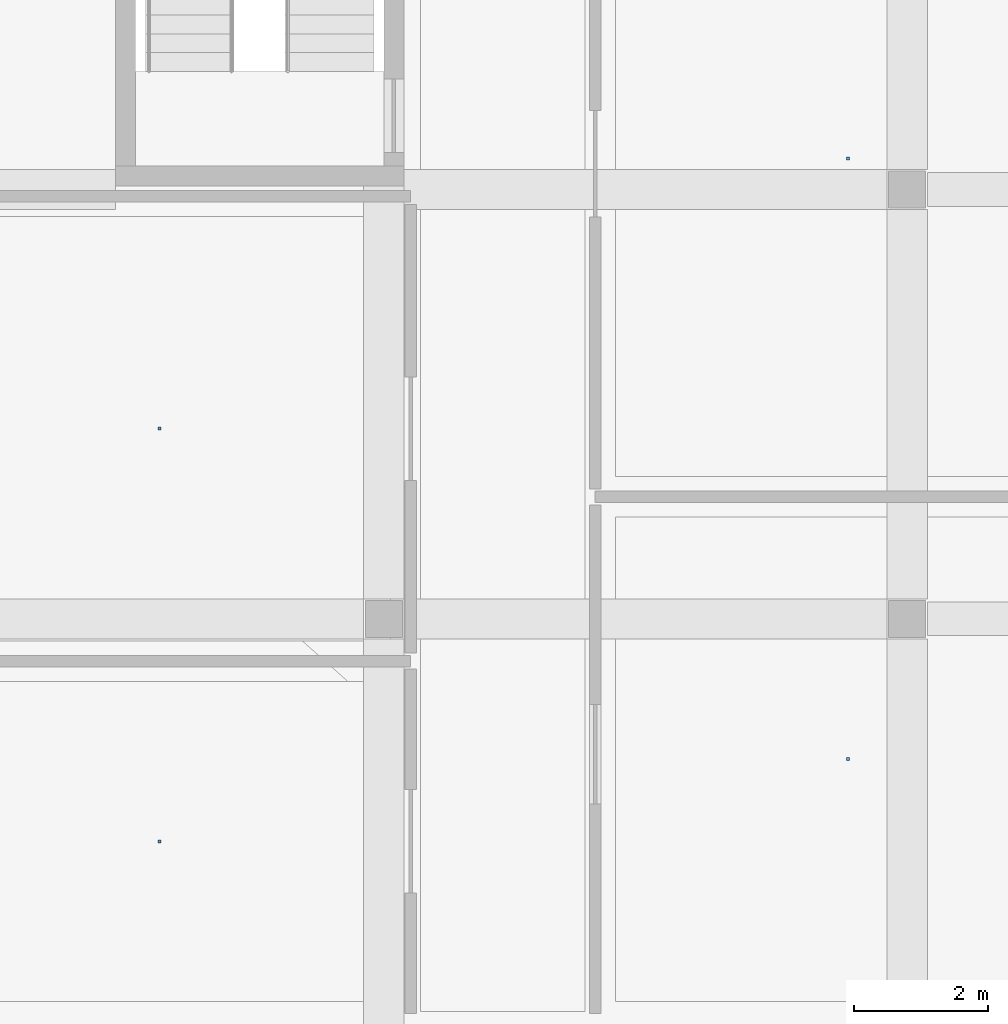
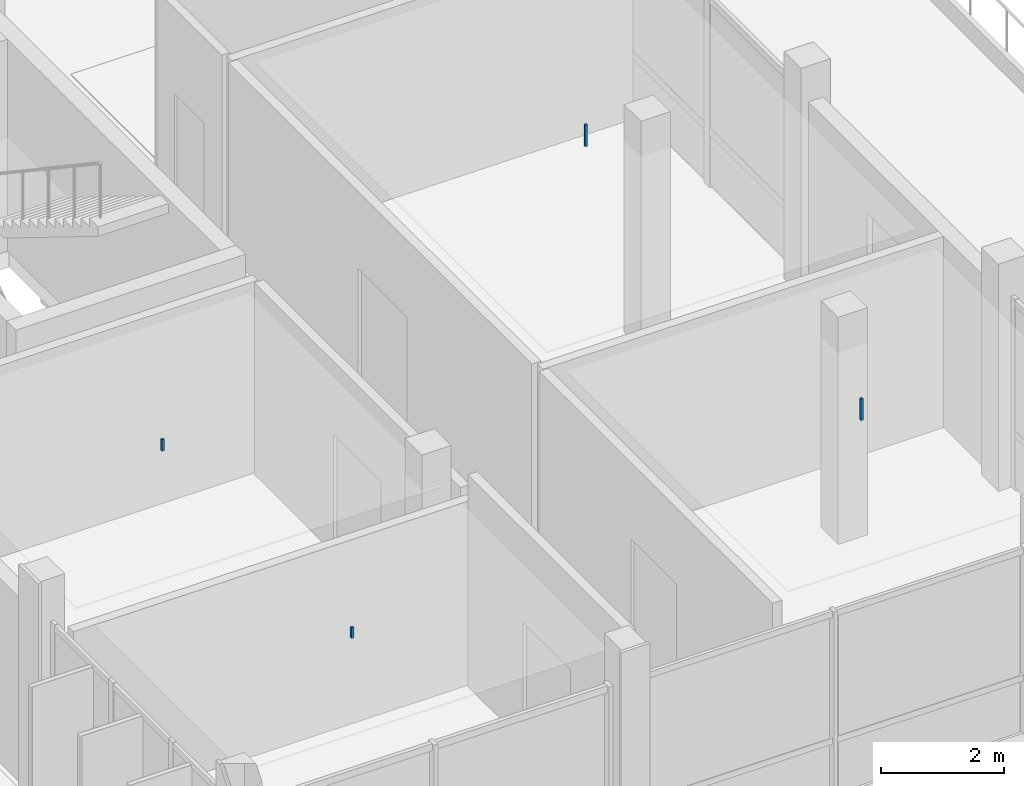
# One storey, part 66 of 95: 4 discrete accessories.
"""IFC4 building model written with IfcOpenShell, lengths in metres."""

from ifc_helpers import new_model, si_unit, derived_unit, direction, frame, origin, origin_2d, place, context, subcontext, project, spatial, rectangle, extrude, material, type_object, element, save


model = new_model("IFC4")

# Units and contexts
model_context = context("Model", 3, precision=1e-05, world=origin(), true_north=direction((0.0, 1.0)))
body_context = subcontext(model_context, "Body", "Model", "MODEL_VIEW")
ifc_project = project(units=[si_unit("LENGTHUNIT", "METRE"), si_unit("AREAUNIT", "SQUARE_METRE"), si_unit("VOLUMEUNIT", "CUBIC_METRE"), si_unit("PLANEANGLEUNIT", "RADIAN"), si_unit("MASSUNIT", "GRAM", prefix="KILO"), derived_unit("THERMALTRANSMITTANCEUNIT", [(si_unit("POWERUNIT", "WATT"), 1), (si_unit("LENGTHUNIT", "METRE"), -2), (si_unit("THERMODYNAMICTEMPERATUREUNIT", "KELVIN"), -1)])], contexts=[model_context])

# Site, building, storey
site_placement = place(None, origin())
site = spatial("IfcSite", under=ifc_project, at=site_placement, CompositionType="ELEMENT")
building_placement = place(site_placement, origin())
building = spatial("IfcBuilding", under=site, at=building_placement, Name="Braskholm Square Health Centre", CompositionType="ELEMENT")
storey_placement = place(building_placement, frame((0.0, 0.0, 4.800048828125)))
storey = spatial("IfcBuildingStorey", under=building, at=storey_placement, Name="L02", CompositionType="ELEMENT", Elevation=4.800048828125)

# Discrete accessories
ifc_material = material(Name="Steel ASTM A500 Grade C", Category="steel")
discrete_accessory_type = type_object("IfcDiscreteAccessoryType", Name="CeilingSuspensionBracket", PredefinedType="BRACKET", material=ifc_material)
discrete_accessory_1_placement = place(storey_placement, frame((8.06005859375, 7.284912109375, 3.802001953125), z_axis=(0.0, 0.0, 1.0), x_axis=(1.0, 0.0, 0.0)))
element("IfcDiscreteAccessory", 1, at=discrete_accessory_1_placement, inside=storey, type_object=discrete_accessory_type, Name="Ceiling hanger bracket 0026", PredefinedType="BRACKET", context=body_context, shape_type="SweptSolid", body=[
    extrude(rectangle(XDim=0.044921875, YDim=0.044921875, at=origin_2d()), origin(), (0.0, 0.0, 1.0), 0.2099609375),
])
discrete_accessory_2_placement = place(storey_placement, frame((8.06005859375, 13.43505859375, 3.781982421875), z_axis=(0.0, 0.0, 1.0), x_axis=(1.0, 0.0, 0.0)))
element("IfcDiscreteAccessory", 2, at=discrete_accessory_2_placement, inside=storey, type_object=discrete_accessory_type, Name="Ceiling hanger bracket 0027", PredefinedType="BRACKET", context=body_context, shape_type="SweptSolid", body=[
    extrude(rectangle(XDim=0.044921875, YDim=0.044921875, at=origin_2d()), origin(), (0.0, 0.0, 1.0), 0.22998046875),
])
for number, where, z_axis, x_axis, name in (
    (3, (18.31494140625, 8.510009765625, 3.7822265625), (0.0, 0.0, 1.0), (1.0, 0.0, 0.0), "Ceiling hanger bracket 0036"),
    (4, (18.31494140625, 17.4599609375, 3.7822265625), (0.0, 0.0, 1.0), (1.0, 0.0, 0.0), "Ceiling hanger bracket 0037"),
):
    element("IfcDiscreteAccessory", number, at=place(storey_placement, frame(where, z_axis=z_axis, x_axis=x_axis)), inside=storey, type_object=discrete_accessory_type, Name=name, PredefinedType="BRACKET", context=body_context, shape_type="SweptSolid", body=[
        extrude(rectangle(XDim=0.044921875, YDim=0.044921875, at=origin_2d()), origin(), (0.0, 0.0, 1.0), 0.429931640625),
    ])

save(model, "model.ifc")
